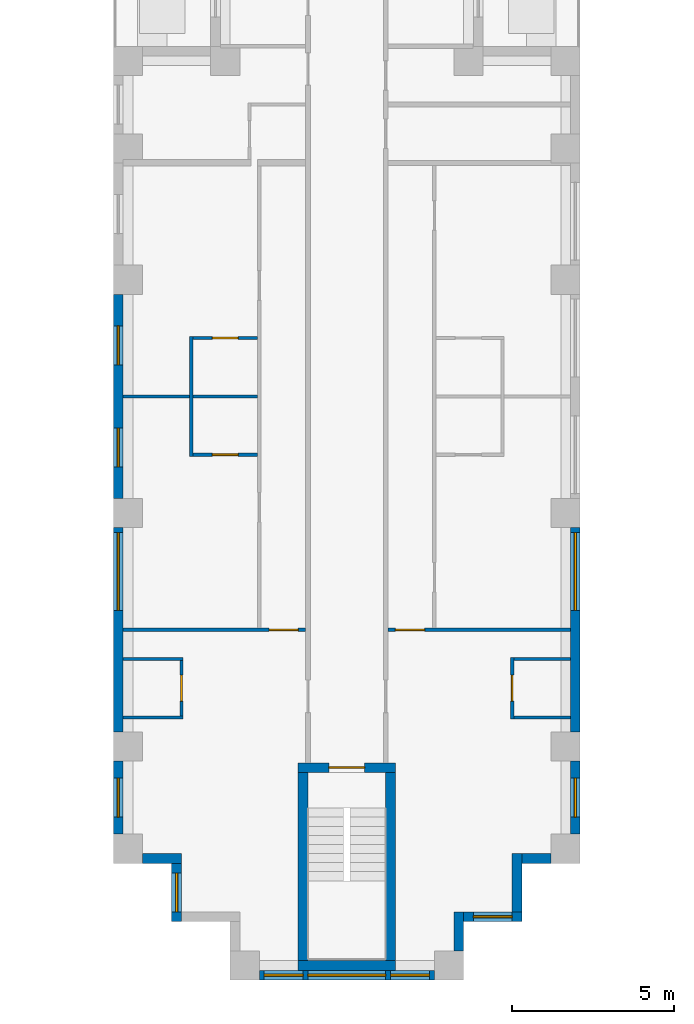
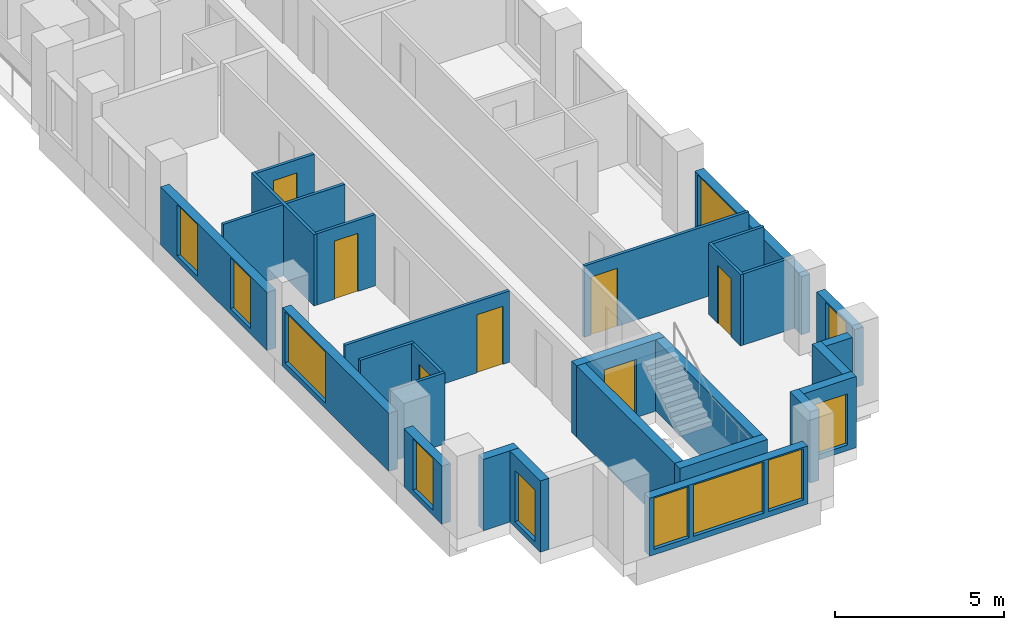
# One storey, part 3 of 15: 28 walls, 11 windows, 7 doors, 18 openings.
"""IFC4 building model written with IfcOpenShell, lengths in metres."""

from ifc_helpers import new_model, si_unit, direction, frame, frame_2d, origin, place, context, subcontext, project, spatial, rectangle, extrude, material, layer, layer_set, type_object, element, fill, save


model = new_model("IFC4")

# Units and contexts
model_context = context("Model", 3, precision=1e-05, world=origin(), true_north=direction((0.0, 1.0)))
body_context = subcontext(model_context, "Body", "Model", "MODEL_VIEW")
ifc_project = project(units=[si_unit("LENGTHUNIT", "METRE"), si_unit("AREAUNIT", "SQUARE_METRE"), si_unit("VOLUMEUNIT", "CUBIC_METRE"), si_unit("PLANEANGLEUNIT", "RADIAN"), si_unit("MASSUNIT", "GRAM", prefix="KILO")], contexts=[model_context])

# Site, building, storey
site_placement = place(None, origin())
site = spatial("IfcSite", under=ifc_project, at=site_placement, CompositionType="ELEMENT")
building_placement = place(site_placement, origin())
building = spatial("IfcBuilding", under=site, at=building_placement, Name="Fustian Cross Tower", CompositionType="ELEMENT")
storey_placement = place(building_placement, frame((0.0, 0.0, 53.699951171875)))
storey = spatial("IfcBuildingStorey", under=building, at=storey_placement, Name="L16", CompositionType="ELEMENT", Elevation=53.699951171875)

# Walls
ifc_material_1 = material(Name="Plasterboard on steel stud", Category="steel")
ifc_layer_1 = layer(ifc_material_1, 0.10009765625)
ifc_layer_set_1 = layer_set([ifc_layer_1], Name="Plasterboard on steel stud")
wall_type_1 = type_object("IfcWallType", Name="PARTITION 100 STUD", PredefinedType="PARTITIONING", material=ifc_layer_set_1)
for number, where, z_axis, x_axis, name in (
    (1, (-6.89990234375, -35.10009765625, 0.0), (0.0, 0.0, 1.0), (1.0, 0.0, 0.0), "Partition 14"),
    (2, (-6.89990234375, -33.300048828125, 0.0), (0.0, 0.0, 1.0), (1.0, 0.0, 0.0), "Partition 15"),
):
    element("IfcWall", number, at=place(storey_placement, frame(where, z_axis=z_axis, x_axis=x_axis)), inside=storey, type_object=wall_type_1, Name=name, PredefinedType="PARTITIONING", context=body_context, shape_type="SweptSolid", body=[
        extrude(rectangle(XDim=1.849853515625, YDim=0.10009765625, at=frame_2d((0.9248046875, 0.0))), origin(), (0.0, 0.0, 1.0), 2.574951171875),
    ])

# Wall, opening, door
wall_1_placement = place(storey_placement, frame((-6.89990234375, -32.39990234375, 0.0), z_axis=(0.0, 0.0, 1.0), x_axis=(1.0, 0.0, 0.0)))
wall_1 = element("IfcWall", 3, at=wall_1_placement, inside=storey, type_object=wall_type_1, Name="Partition 16", PredefinedType="PARTITIONING", context=body_context, shape_type="SweptSolid", body=[
    extrude(rectangle(XDim=5.625, YDim=0.10009765625, at=frame_2d((2.8125, 0.0))), origin(), (0.0, 0.0, 1.0), 2.574951171875),
])
opening_1_placement = place(wall_1_placement, frame((4.5, 0.0, 0.0)))
opening_1 = element("IfcOpeningElement", 4, at=opening_1_placement, cuts=wall_1, Name="Opening D09072", PredefinedType="OPENING", context=body_context, shape_type="SweptSolid", body=[
    extrude(rectangle(XDim=0.89990234375, YDim=2.10009765625, at=frame_2d((0.449951171875, 1.050048828125))), frame((0.0, 0.06005859375, 0.0), z_axis=(0.0, -1.0, 0.0), x_axis=(1.0, 0.0, 0.0)), (0.0, 0.0, 1.0), 0.1201171875),
])
ifc_material_2 = material(Name="Painted timber", Category="wood")
door_type_1 = type_object("IfcDoorType", Name="SWING DOOR 900", OperationType="SINGLE_SWING_LEFT", PredefinedType="DOOR", material=ifc_material_2)
door_1_placement = place(opening_1_placement, origin())
door_1 = element("IfcDoor", 5, at=door_1_placement, inside=storey, type_object=door_type_1, Name="Door D09072", OperationType="SINGLE_SWING_LEFT", OverallHeight=2.10009765625, OverallWidth=0.89990234375, PredefinedType="DOOR", context=body_context, shape_type="SweptSolid", body=[
    extrude(rectangle(XDim=0.89990234375, YDim=2.10009765625, at=frame_2d((0.449951171875, 1.050048828125))), frame((0.0, 0.02490234375, 0.0), z_axis=(0.0, -1.0, 0.0), x_axis=(1.0, 0.0, 0.0)), (0.0, 0.0, 1.0), 0.050048828125),
])
fill(opening_1, door_1)

# Wall
wall_2_placement = place(storey_placement, frame((-6.89990234375, -25.199951171875, 0.0), z_axis=(0.0, 0.0, 1.0), x_axis=(1.0, 0.0, 0.0)))
element("IfcWall", 6, at=wall_2_placement, inside=storey, type_object=wall_type_1, Name="Partition 17", PredefinedType="PARTITIONING", context=body_context, shape_type="SweptSolid", body=[
    extrude(rectangle(XDim=4.14990234375, YDim=0.10009765625, at=frame_2d((2.074951171875, 0.0))), origin(), (0.0, 0.0, 1.0), 2.574951171875),
])

# Wall, opening, door
wall_3_placement = place(storey_placement, frame((-5.10009765625, -35.050048828125, 0.0), z_axis=(0.0, 0.0, 1.0), x_axis=(0.0, 1.0, 0.0)))
wall_3 = element("IfcWall", 7, at=wall_3_placement, inside=storey, type_object=wall_type_1, Name="Partition 24", PredefinedType="PARTITIONING", context=body_context, shape_type="SweptSolid", body=[
    extrude(rectangle(XDim=1.699951171875, YDim=0.10009765625, at=frame_2d((0.85009765625, 0.0))), origin(), (0.0, 0.0, 1.0), 2.574951171875),
])
opening_2_placement = place(wall_3_placement, frame((0.449951171875, 0.0, 0.0)))
opening_2 = element("IfcOpeningElement", 8, at=opening_2_placement, cuts=wall_3, Name="Opening D09068", PredefinedType="OPENING", context=body_context, shape_type="SweptSolid", body=[
    extrude(rectangle(XDim=0.800048828125, YDim=2.10009765625, at=frame_2d((0.39990234375, 1.050048828125))), frame((0.0, 0.06005859375, 0.0), z_axis=(0.0, -1.0, 0.0), x_axis=(1.0, 0.0, 0.0)), (0.0, 0.0, 1.0), 0.1201171875),
])
ifc_material_3 = material(Name="Painted timber", Category="wood")
door_type_2 = type_object("IfcDoorType", Name="SWING DOOR 800", OperationType="SINGLE_SWING_LEFT", PredefinedType="DOOR", material=ifc_material_3)
door_2_placement = place(opening_2_placement, origin())
door_2 = element("IfcDoor", 9, at=door_2_placement, inside=storey, type_object=door_type_2, Name="Door D09068", OperationType="SINGLE_SWING_RIGHT", OverallHeight=2.10009765625, OverallWidth=0.800048828125, PredefinedType="DOOR", context=body_context, shape_type="SweptSolid", body=[
    extrude(rectangle(XDim=0.800048828125, YDim=2.10009765625, at=frame_2d((0.39990234375, 1.050048828125))), frame((0.0, 0.02490234375, 0.0), z_axis=(0.0, -1.0, 0.0), x_axis=(1.0, 0.0, 0.0)), (0.0, 0.0, 1.0), 0.050048828125),
])
fill(opening_2, door_2)

# Wall
wall_4_placement = place(storey_placement, frame((-4.800048828125, -27.050048828125, 0.0), z_axis=(0.0, 0.0, 1.0), x_axis=(0.0, 1.0, 0.0)))
element("IfcWall", 10, at=wall_4_placement, inside=storey, type_object=wall_type_1, Name="Partition 25", PredefinedType="PARTITIONING", context=body_context, shape_type="SweptSolid", body=[
    extrude(rectangle(XDim=3.699951171875, YDim=0.10009765625, at=frame_2d((1.85009765625, 0.0))), origin(), (0.0, 0.0, 1.0), 2.574951171875),
])

# Wall, opening, door
wall_5_placement = place(storey_placement, frame((-4.75, -27.0, 0.0), z_axis=(0.0, 0.0, 1.0), x_axis=(1.0, 0.0, 0.0)))
wall_5 = element("IfcWall", 11, at=wall_5_placement, inside=storey, type_object=wall_type_1, Name="Partition 26", PredefinedType="PARTITIONING", context=body_context, shape_type="SweptSolid", body=[
    extrude(rectangle(XDim=2.0, YDim=0.10009765625, at=frame_2d((1.0, 0.0))), origin(), (0.0, 0.0, 1.0), 2.574951171875),
])
opening_3_placement = place(wall_5_placement, frame((0.60009765625, 0.0, 0.0)))
opening_3 = element("IfcOpeningElement", 12, at=opening_3_placement, cuts=wall_5, Name="Opening D09074", PredefinedType="OPENING", context=body_context, shape_type="SweptSolid", body=[
    extrude(rectangle(XDim=0.800048828125, YDim=2.10009765625, at=frame_2d((0.39990234375, 1.050048828125))), frame((0.0, 0.06005859375, 0.0), z_axis=(0.0, -1.0, 0.0), x_axis=(1.0, 0.0, 0.0)), (0.0, 0.0, 1.0), 0.1201171875),
])
door_3_placement = place(opening_3_placement, origin())
door_3 = element("IfcDoor", 13, at=door_3_placement, inside=storey, type_object=door_type_2, Name="Door D09074", OperationType="SINGLE_SWING_LEFT", OverallHeight=2.10009765625, OverallWidth=0.800048828125, PredefinedType="DOOR", context=body_context, shape_type="SweptSolid", body=[
    extrude(rectangle(XDim=0.800048828125, YDim=2.10009765625, at=frame_2d((0.39990234375, 1.050048828125))), frame((0.0, 0.02490234375, 0.0), z_axis=(0.0, -1.0, 0.0), x_axis=(1.0, 0.0, 0.0)), (0.0, 0.0, 1.0), 0.050048828125),
])
fill(opening_3, door_3)

wall_6_placement = place(storey_placement, frame((-4.75, -23.39990234375, 0.0), z_axis=(0.0, 0.0, 1.0), x_axis=(1.0, 0.0, 0.0)))
wall_6 = element("IfcWall", 14, at=wall_6_placement, inside=storey, type_object=wall_type_1, Name="Partition 27", PredefinedType="PARTITIONING", context=body_context, shape_type="SweptSolid", body=[
    extrude(rectangle(XDim=2.0, YDim=0.10009765625, at=frame_2d((1.0, 0.0))), origin(), (0.0, 0.0, 1.0), 2.574951171875),
])
opening_4_placement = place(wall_6_placement, frame((0.60009765625, 0.0, 0.0)))
opening_4 = element("IfcOpeningElement", 15, at=opening_4_placement, cuts=wall_6, Name="Opening D09073", PredefinedType="OPENING", context=body_context, shape_type="SweptSolid", body=[
    extrude(rectangle(XDim=0.800048828125, YDim=2.10009765625, at=frame_2d((0.39990234375, 1.050048828125))), frame((0.0, 0.06005859375, 0.0), z_axis=(0.0, -1.0, 0.0), x_axis=(1.0, 0.0, 0.0)), (0.0, 0.0, 1.0), 0.1201171875),
])
door_4_placement = place(opening_4_placement, frame((0.800048828125, 0.0, 0.0), z_axis=(0.0, 0.0, 1.0), x_axis=(-1.0, 0.0, 0.0)))
door_4 = element("IfcDoor", 16, at=door_4_placement, inside=storey, type_object=door_type_2, Name="Door D09073", OperationType="SINGLE_SWING_RIGHT", OverallHeight=2.10009765625, OverallWidth=0.800048828125, PredefinedType="DOOR", context=body_context, shape_type="SweptSolid", body=[
    extrude(rectangle(XDim=0.800048828125, YDim=2.10009765625, at=frame_2d((0.39990234375, 1.050048828125))), frame((0.0, 0.02490234375, 0.0), z_axis=(0.0, -1.0, 0.0), x_axis=(1.0, 0.0, 0.0)), (0.0, 0.0, 1.0), 0.050048828125),
])
fill(opening_4, door_4)

wall_7_placement = place(storey_placement, frame((1.27490234375, -32.39990234375, 0.0), z_axis=(0.0, 0.0, 1.0), x_axis=(1.0, 0.0, 0.0)))
wall_7 = element("IfcWall", 17, at=wall_7_placement, inside=storey, type_object=wall_type_1, Name="Partition 49", PredefinedType="PARTITIONING", context=body_context, shape_type="SweptSolid", body=[
    extrude(rectangle(XDim=5.625, YDim=0.10009765625, at=frame_2d((2.8125, 0.0))), origin(), (0.0, 0.0, 1.0), 2.574951171875),
])
opening_5_placement = place(wall_7_placement, frame((0.22509765625, 0.0, 0.0)))
opening_5 = element("IfcOpeningElement", 18, at=opening_5_placement, cuts=wall_7, Name="Opening D09059", PredefinedType="OPENING", context=body_context, shape_type="SweptSolid", body=[
    extrude(rectangle(XDim=0.89990234375, YDim=2.10009765625, at=frame_2d((0.449951171875, 1.050048828125))), frame((0.0, 0.06005859375, 0.0), z_axis=(0.0, -1.0, 0.0), x_axis=(1.0, 0.0, 0.0)), (0.0, 0.0, 1.0), 0.1201171875),
])
door_5_placement = place(opening_5_placement, origin())
door_5 = element("IfcDoor", 19, at=door_5_placement, inside=storey, type_object=door_type_1, Name="Door D09059", OperationType="SINGLE_SWING_LEFT", OverallHeight=2.10009765625, OverallWidth=0.89990234375, PredefinedType="DOOR", context=body_context, shape_type="SweptSolid", body=[
    extrude(rectangle(XDim=0.89990234375, YDim=2.10009765625, at=frame_2d((0.449951171875, 1.050048828125))), frame((0.0, 0.02490234375, 0.0), z_axis=(0.0, -1.0, 0.0), x_axis=(1.0, 0.0, 0.0)), (0.0, 0.0, 1.0), 0.050048828125),
])
fill(opening_5, door_5)

wall_8_placement = place(storey_placement, frame((5.10009765625, -35.14990234375, 0.0), z_axis=(0.0, 0.0, 1.0), x_axis=(0.0, 1.0, 0.0)))
wall_8 = element("IfcWall", 20, at=wall_8_placement, inside=storey, type_object=wall_type_1, Name="Partition 80", PredefinedType="PARTITIONING", context=body_context, shape_type="SweptSolid", body=[
    extrude(rectangle(XDim=1.89990234375, YDim=0.10009765625, at=frame_2d((0.949951171875, 0.0))), origin(), (0.0, 0.0, 1.0), 2.574951171875),
])
opening_6_placement = place(wall_8_placement, frame((0.550048828125, 0.0, 0.0)))
opening_6 = element("IfcOpeningElement", 21, at=opening_6_placement, cuts=wall_8, Name="Opening D09057", PredefinedType="OPENING", context=body_context, shape_type="SweptSolid", body=[
    extrude(rectangle(XDim=0.800048828125, YDim=2.10009765625, at=frame_2d((0.39990234375, 1.050048828125))), frame((0.0, 0.06005859375, 0.0), z_axis=(0.0, -1.0, 0.0), x_axis=(1.0, 0.0, 0.0)), (0.0, 0.0, 1.0), 0.1201171875),
])
door_6_placement = place(opening_6_placement, frame((0.800048828125, 0.0, 0.0), z_axis=(0.0, 0.0, 1.0), x_axis=(-1.0, 0.0, 0.0)))
door_6 = element("IfcDoor", 22, at=door_6_placement, inside=storey, type_object=door_type_2, Name="Door D09057", OperationType="SINGLE_SWING_LEFT", OverallHeight=2.10009765625, OverallWidth=0.800048828125, PredefinedType="DOOR", context=body_context, shape_type="SweptSolid", body=[
    extrude(rectangle(XDim=0.800048828125, YDim=2.10009765625, at=frame_2d((0.39990234375, 1.050048828125))), frame((0.0, 0.02490234375, 0.0), z_axis=(0.0, -1.0, 0.0), x_axis=(1.0, 0.0, 0.0)), (0.0, 0.0, 1.0), 0.050048828125),
])
fill(opening_6, door_6)

# Walls
for number, where, z_axis, x_axis, name in (
    (23, (5.14990234375, -35.10009765625, 0.0), (0.0, 0.0, 1.0), (1.0, 0.0, 0.0), "Partition 81"),
    (24, (5.14990234375, -33.300048828125, 0.0), (0.0, 0.0, 1.0), (1.0, 0.0, 0.0), "Partition 82"),
):
    element("IfcWall", number, at=place(storey_placement, frame(where, z_axis=z_axis, x_axis=x_axis)), inside=storey, type_object=wall_type_1, Name=name, PredefinedType="PARTITIONING", context=body_context, shape_type="SweptSolid", body=[
        extrude(rectangle(XDim=1.75, YDim=0.10009765625, at=frame_2d((0.875, 0.0))), origin(), (0.0, 0.0, 1.0), 2.574951171875),
    ])

# Wall, opening, door
ifc_material_4 = material(Name="Concrete C50/60", Category="concrete")
ifc_layer_2 = layer(ifc_material_4, 0.300048828125)
ifc_layer_set_2 = layer_set([ifc_layer_2], Name="Concrete C50/60")
wall_type_2 = type_object("IfcWallType", Name="STAIR ENCLOSURE WALL 300 C50/60", PredefinedType="SHEAR", material=ifc_layer_set_2)
wall_9_placement = place(storey_placement, frame((-1.5, -36.64990234375, 0.0), z_axis=(0.0, 0.0, 1.0), x_axis=(1.0, 0.0, 0.0)))
wall_9 = element("IfcWall", 25, at=wall_9_placement, inside=storey, type_object=wall_type_2, Name="Stair enclosure wall", PredefinedType="SHEAR", context=body_context, shape_type="SweptSolid", body=[
    extrude(rectangle(XDim=3.0, YDim=0.300048828125, at=frame_2d((1.5, 0.0))), origin(), (0.0, 0.0, 1.0), 2.574951171875),
])
opening_7_placement = place(wall_9_placement, frame((0.949951171875, 0.0, 0.0)))
opening_7 = element("IfcOpeningElement", 26, at=opening_7_placement, cuts=wall_9, Name="Opening CD-06-32", PredefinedType="OPENING", context=body_context, shape_type="SweptSolid", body=[
    extrude(rectangle(XDim=1.10009765625, YDim=2.10009765625, at=frame_2d((0.550048828125, 1.050048828125))), frame((0.0, 0.159912109375, 0.0), z_axis=(0.0, -1.0, 0.0), x_axis=(1.0, 0.0, 0.0)), (0.0, 0.0, 1.0), 0.320068359375),
])
ifc_material_5 = material(Name="Steel", Category="steel")
door_type_3 = type_object("IfcDoorType", Name="FIRE DOOR FD60S 1100X2100", OperationType="SINGLE_SWING_LEFT", PredefinedType="DOOR", material=ifc_material_5)
door_7_placement = place(opening_7_placement, frame((1.10009765625, 0.0, 0.0), z_axis=(0.0, 0.0, 1.0), x_axis=(-1.0, 0.0, 0.0)))
door_7 = element("IfcDoor", 27, at=door_7_placement, inside=storey, type_object=door_type_3, Name="Core door CD-06-32", OperationType="SINGLE_SWING_RIGHT", OverallHeight=2.10009765625, OverallWidth=1.10009765625, PredefinedType="DOOR", context=body_context, shape_type="SweptSolid", body=[
    extrude(rectangle(XDim=1.10009765625, YDim=2.10009765625, at=frame_2d((0.550048828125, 1.050048828125))), frame((0.0, 0.02490234375, 0.0), z_axis=(0.0, -1.0, 0.0), x_axis=(1.0, 0.0, 0.0)), (0.0, 0.0, 1.0), 0.050048828125),
])
fill(opening_7, door_7)

# Walls
wall_10_placement = place(storey_placement, frame((-1.5, -42.75, 0.0), z_axis=(0.0, 0.0, 1.0), x_axis=(1.0, 0.0, 0.0)))
element("IfcWall", 28, at=wall_10_placement, inside=storey, type_object=wall_type_2, Name="Stair enclosure wall", PredefinedType="SHEAR", context=body_context, shape_type="SweptSolid", body=[
    extrude(rectangle(XDim=3.0, YDim=0.300048828125, at=frame_2d((1.5, 0.0))), origin(), (0.0, 0.0, 1.0), 2.574951171875),
])
for number, where, z_axis, x_axis, name in (
    (29, (-1.35009765625, -36.800048828125, 0.0), (0.0, 0.0, 1.0), (0.0, -1.0, 0.0), "Stair enclosure wall"),
    (30, (1.35009765625, -36.800048828125, 0.0), (0.0, 0.0, 1.0), (0.0, -1.0, 0.0), "Stair enclosure wall"),
):
    element("IfcWall", number, at=place(storey_placement, frame(where, z_axis=z_axis, x_axis=x_axis)), inside=storey, type_object=wall_type_2, Name=name, PredefinedType="SHEAR", context=body_context, shape_type="SweptSolid", body=[
        extrude(rectangle(XDim=5.800048828125, YDim=0.300048828125, at=frame_2d((2.89990234375, 0.0))), origin(), (0.0, 0.0, 1.0), 2.574951171875),
    ])

# Wall, openings, windows
ifc_material_6 = material(Name="Dark aluminium cladding on insulated backing wall", Category="aluminium")
ifc_layer_3 = layer(ifc_material_6, 0.300048828125)
ifc_layer_set_3 = layer_set([ifc_layer_3], Name="Dark aluminium cladding on insulated backing wall")
wall_type_3 = type_object("IfcWallType", Name="XW1 EXTERNAL WALL 300", PredefinedType="SOLIDWALL", material=ifc_layer_set_3)
wall_11_placement = place(storey_placement, frame((-7.050048828125, -22.050048828125, 0.0), z_axis=(0.0, 0.0, 1.0), x_axis=(0.0, -1.0, 0.0)))
wall_11 = element("IfcWall", 31, at=wall_11_placement, inside=storey, type_object=wall_type_3, Name="External wall", PredefinedType="SOLIDWALL", context=body_context, shape_type="SweptSolid", body=[
    extrude(rectangle(XDim=6.300048828125, YDim=0.300048828125, at=frame_2d((3.14990234375, 0.0))), origin(), (0.0, 0.0, 1.0), 2.10009765625),
])
opening_8_placement = place(wall_11_placement, frame((0.97509765625, 0.0, 0.199951171875)))
opening_8 = element("IfcOpeningElement", 32, at=opening_8_placement, cuts=wall_11, Name="Opening WN3", PredefinedType="OPENING", context=body_context, shape_type="SweptSolid", body=[
    extrude(rectangle(XDim=1.199951171875, YDim=1.85009765625, at=frame_2d((0.60009765625, 0.925048828125))), frame((0.0, 0.159912109375, 0.0), z_axis=(0.0, -1.0, 0.0), x_axis=(1.0, 0.0, 0.0)), (0.0, 0.0, 1.0), 0.320068359375),
])
opening_9_placement = place(wall_11_placement, frame((4.125, 0.0, 0.199951171875)))
opening_9 = element("IfcOpeningElement", 33, at=opening_9_placement, cuts=wall_11, Name="Opening WN3", PredefinedType="OPENING", context=body_context, shape_type="SweptSolid", body=[
    extrude(rectangle(XDim=1.199951171875, YDim=1.85009765625, at=frame_2d((0.60009765625, 0.925048828125))), frame((0.0, 0.159912109375, 0.0), z_axis=(0.0, -1.0, 0.0), x_axis=(1.0, 0.0, 0.0)), (0.0, 0.0, 1.0), 0.320068359375),
])
ifc_material_7 = material(Name="Dark anodised aluminium and double glazing", Category="aluminium")
window_type_1 = type_object("IfcWindowType", Name="WN3 WINDOW 1200X1850", PartitioningType="SINGLE_PANEL", PredefinedType="WINDOW", material=ifc_material_7)
window_1_placement = place(opening_8_placement, origin())
window_1 = element("IfcWindow", 34, at=window_1_placement, inside=storey, type_object=window_type_1, Name="Window", OverallHeight=1.85009765625, OverallWidth=1.199951171875, PartitioningType="SINGLE_PANEL", PredefinedType="WINDOW", context=body_context, shape_type="SweptSolid", body=[
    extrude(rectangle(XDim=1.199951171875, YDim=1.85009765625, at=frame_2d((0.60009765625, 0.925048828125))), frame((0.0, 0.030029296875, 0.0), z_axis=(0.0, -1.0, 0.0), x_axis=(1.0, 0.0, 0.0)), (0.0, 0.0, 1.0), 0.06005859375),
])
fill(opening_8, window_1)
window_2_placement = place(opening_9_placement, origin())
window_2 = element("IfcWindow", 35, at=window_2_placement, inside=storey, type_object=window_type_1, Name="Window", OverallHeight=1.85009765625, OverallWidth=1.199951171875, PartitioningType="SINGLE_PANEL", PredefinedType="WINDOW", context=body_context, shape_type="SweptSolid", body=[
    extrude(rectangle(XDim=1.199951171875, YDim=1.85009765625, at=frame_2d((0.60009765625, 0.925048828125))), frame((0.0, 0.030029296875, 0.0), z_axis=(0.0, -1.0, 0.0), x_axis=(1.0, 0.0, 0.0)), (0.0, 0.0, 1.0), 0.06005859375),
])
fill(opening_9, window_2)

# Wall, opening, window
wall_12_placement = place(storey_placement, frame((-7.050048828125, -29.25, 0.0), z_axis=(0.0, 0.0, 1.0), x_axis=(0.0, -1.0, 0.0)))
wall_12 = element("IfcWall", 36, at=wall_12_placement, inside=storey, type_object=wall_type_3, Name="External wall", PredefinedType="SOLIDWALL", context=body_context, shape_type="SweptSolid", body=[
    extrude(rectangle(XDim=6.300048828125, YDim=0.300048828125, at=frame_2d((3.14990234375, 0.0))), origin(), (0.0, 0.0, 1.0), 2.10009765625),
])
opening_10_placement = place(wall_12_placement, frame((0.14990234375, 0.0, 0.199951171875)))
opening_10 = element("IfcOpeningElement", 37, at=opening_10_placement, cuts=wall_12, Name="Opening WN1", PredefinedType="OPENING", context=body_context, shape_type="SweptSolid", body=[
    extrude(rectangle(XDim=2.39990234375, YDim=1.85009765625, at=frame_2d((1.199951171875, 0.925048828125))), frame((0.0, 0.159912109375, 0.0), z_axis=(0.0, -1.0, 0.0), x_axis=(1.0, 0.0, 0.0)), (0.0, 0.0, 1.0), 0.320068359375),
])
ifc_material_8 = material(Name="Dark anodised aluminium and double glazing", Category="aluminium")
window_type_2 = type_object("IfcWindowType", Name="WN1 WINDOW 2400X1850", PartitioningType="SINGLE_PANEL", PredefinedType="WINDOW", material=ifc_material_8)
window_3_placement = place(opening_10_placement, origin())
window_3 = element("IfcWindow", 38, at=window_3_placement, inside=storey, type_object=window_type_2, Name="Window", OverallHeight=1.85009765625, OverallWidth=2.39990234375, PartitioningType="SINGLE_PANEL", PredefinedType="WINDOW", context=body_context, shape_type="SweptSolid", body=[
    extrude(rectangle(XDim=2.39990234375, YDim=1.85009765625, at=frame_2d((1.199951171875, 0.925048828125))), frame((0.0, 0.030029296875, 0.0), z_axis=(0.0, -1.0, 0.0), x_axis=(1.0, 0.0, 0.0)), (0.0, 0.0, 1.0), 0.06005859375),
])
fill(opening_10, window_3)

wall_13_placement = place(storey_placement, frame((-7.050048828125, -36.449951171875, 0.0), z_axis=(0.0, 0.0, 1.0), x_axis=(0.0, -1.0, 0.0)))
wall_13 = element("IfcWall", 39, at=wall_13_placement, inside=storey, type_object=wall_type_3, Name="External wall", PredefinedType="SOLIDWALL", context=body_context, shape_type="SweptSolid", body=[
    extrude(rectangle(XDim=2.25, YDim=0.300048828125, at=frame_2d((1.125, 0.0))), origin(), (0.0, 0.0, 1.0), 2.10009765625),
])
opening_11_placement = place(wall_13_placement, frame((0.52490234375, 0.0, 0.199951171875)))
opening_11 = element("IfcOpeningElement", 40, at=opening_11_placement, cuts=wall_13, Name="Opening WN3", PredefinedType="OPENING", context=body_context, shape_type="SweptSolid", body=[
    extrude(rectangle(XDim=1.199951171875, YDim=1.85009765625, at=frame_2d((0.60009765625, 0.925048828125))), frame((0.0, 0.159912109375, 0.0), z_axis=(0.0, -1.0, 0.0), x_axis=(1.0, 0.0, 0.0)), (0.0, 0.0, 1.0), 0.320068359375),
])
window_4_placement = place(opening_11_placement, origin())
window_4 = element("IfcWindow", 41, at=window_4_placement, inside=storey, type_object=window_type_1, Name="Window", OverallHeight=1.85009765625, OverallWidth=1.199951171875, PartitioningType="SINGLE_PANEL", PredefinedType="WINDOW", context=body_context, shape_type="SweptSolid", body=[
    extrude(rectangle(XDim=1.199951171875, YDim=1.85009765625, at=frame_2d((0.60009765625, 0.925048828125))), frame((0.0, 0.030029296875, 0.0), z_axis=(0.0, -1.0, 0.0), x_axis=(1.0, 0.0, 0.0)), (0.0, 0.0, 1.0), 0.06005859375),
])
fill(opening_11, window_4)

# Wall
wall_14_placement = place(storey_placement, frame((-6.300048828125, -39.449951171875, 0.0), z_axis=(0.0, 0.0, 1.0), x_axis=(1.0, 0.0, 0.0)))
element("IfcWall", 42, at=wall_14_placement, inside=storey, type_object=wall_type_3, Name="External wall", PredefinedType="SOLIDWALL", context=body_context, shape_type="SweptSolid", body=[
    extrude(rectangle(XDim=1.199951171875, YDim=0.300048828125, at=frame_2d((0.60009765625, 0.0))), origin(), (0.0, 0.0, 1.0), 2.574951171875),
])

# Wall, opening, window
wall_15_placement = place(storey_placement, frame((-5.25, -39.60009765625, 0.0), z_axis=(0.0, 0.0, 1.0), x_axis=(0.0, -1.0, 0.0)))
wall_15 = element("IfcWall", 43, at=wall_15_placement, inside=storey, type_object=wall_type_3, Name="External wall", PredefinedType="SOLIDWALL", context=body_context, shape_type="SweptSolid", body=[
    extrude(rectangle(XDim=1.7998046875, YDim=0.300048828125, at=frame_2d((0.89990234375, 0.0))), origin(), (0.0, 0.0, 1.0), 2.574951171875),
])
opening_12_placement = place(wall_15_placement, frame((0.300048828125, 0.0, 0.199951171875)))
opening_12 = element("IfcOpeningElement", 44, at=opening_12_placement, cuts=wall_15, Name="Opening WN3", PredefinedType="OPENING", context=body_context, shape_type="SweptSolid", body=[
    extrude(rectangle(XDim=1.199951171875, YDim=1.85009765625, at=frame_2d((0.60009765625, 0.925048828125))), frame((0.0, 0.159912109375, 0.0), z_axis=(0.0, -1.0, 0.0), x_axis=(1.0, 0.0, 0.0)), (0.0, 0.0, 1.0), 0.320068359375),
])
window_5_placement = place(opening_12_placement, origin())
window_5 = element("IfcWindow", 45, at=window_5_placement, inside=storey, type_object=window_type_1, Name="Window", OverallHeight=1.85009765625, OverallWidth=1.199951171875, PartitioningType="SINGLE_PANEL", PredefinedType="WINDOW", context=body_context, shape_type="SweptSolid", body=[
    extrude(rectangle(XDim=1.199951171875, YDim=1.85009765625, at=frame_2d((0.60009765625, 0.925048828125))), frame((0.0, 0.030029296875, 0.0), z_axis=(0.0, -1.0, 0.0), x_axis=(1.0, 0.0, 0.0)), (0.0, 0.0, 1.0), 0.06005859375),
])
fill(opening_12, window_5)

# Wall, openings, windows
wall_16_placement = place(storey_placement, frame((-2.699951171875, -43.050048828125, 0.0), z_axis=(0.0, 0.0, 1.0), x_axis=(1.0, 0.0, 0.0)))
wall_16 = element("IfcWall", 46, at=wall_16_placement, inside=storey, type_object=wall_type_3, Name="External wall", PredefinedType="SOLIDWALL", context=body_context, shape_type="SweptSolid", body=[
    extrude(rectangle(XDim=5.39990234375, YDim=0.300048828125, at=frame_2d((2.699951171875, 0.0))), origin(), (0.0, 0.0, 1.0), 2.10009765625),
])
opening_13_placement = place(wall_16_placement, frame((1.5, 0.0, 0.199951171875)))
opening_13 = element("IfcOpeningElement", 47, at=opening_13_placement, cuts=wall_16, Name="Opening WN1", PredefinedType="OPENING", context=body_context, shape_type="SweptSolid", body=[
    extrude(rectangle(XDim=2.39990234375, YDim=1.85009765625, at=frame_2d((1.199951171875, 0.925048828125))), frame((0.0, 0.159912109375, 0.0), z_axis=(0.0, -1.0, 0.0), x_axis=(1.0, 0.0, 0.0)), (0.0, 0.0, 1.0), 0.320068359375),
])
opening_14_placement = place(wall_16_placement, frame((0.14990234375, 0.0, 0.199951171875)))
opening_14 = element("IfcOpeningElement", 48, at=opening_14_placement, cuts=wall_16, Name="Opening WN3", PredefinedType="OPENING", context=body_context, shape_type="SweptSolid", body=[
    extrude(rectangle(XDim=1.199951171875, YDim=1.85009765625, at=frame_2d((0.60009765625, 0.925048828125))), frame((0.0, 0.159912109375, 0.0), z_axis=(0.0, -1.0, 0.0), x_axis=(1.0, 0.0, 0.0)), (0.0, 0.0, 1.0), 0.320068359375),
])
opening_15_placement = place(wall_16_placement, frame((4.050048828125, 0.0, 0.199951171875)))
opening_15 = element("IfcOpeningElement", 49, at=opening_15_placement, cuts=wall_16, Name="Opening WN3", PredefinedType="OPENING", context=body_context, shape_type="SweptSolid", body=[
    extrude(rectangle(XDim=1.199951171875, YDim=1.85009765625, at=frame_2d((0.60009765625, 0.925048828125))), frame((0.0, 0.159912109375, 0.0), z_axis=(0.0, -1.0, 0.0), x_axis=(1.0, 0.0, 0.0)), (0.0, 0.0, 1.0), 0.320068359375),
])
window_6_placement = place(opening_13_placement, origin())
window_6 = element("IfcWindow", 50, at=window_6_placement, inside=storey, type_object=window_type_2, Name="Window", OverallHeight=1.85009765625, OverallWidth=2.39990234375, PartitioningType="SINGLE_PANEL", PredefinedType="WINDOW", context=body_context, shape_type="SweptSolid", body=[
    extrude(rectangle(XDim=2.39990234375, YDim=1.85009765625, at=frame_2d((1.199951171875, 0.925048828125))), frame((0.0, 0.030029296875, 0.0), z_axis=(0.0, -1.0, 0.0), x_axis=(1.0, 0.0, 0.0)), (0.0, 0.0, 1.0), 0.06005859375),
])
fill(opening_13, window_6)
window_7_placement = place(opening_14_placement, origin())
window_7 = element("IfcWindow", 51, at=window_7_placement, inside=storey, type_object=window_type_1, Name="Window", OverallHeight=1.85009765625, OverallWidth=1.199951171875, PartitioningType="SINGLE_PANEL", PredefinedType="WINDOW", context=body_context, shape_type="SweptSolid", body=[
    extrude(rectangle(XDim=1.199951171875, YDim=1.85009765625, at=frame_2d((0.60009765625, 0.925048828125))), frame((0.0, 0.030029296875, 0.0), z_axis=(0.0, -1.0, 0.0), x_axis=(1.0, 0.0, 0.0)), (0.0, 0.0, 1.0), 0.06005859375),
])
fill(opening_14, window_7)
window_8_placement = place(opening_15_placement, origin())
window_8 = element("IfcWindow", 52, at=window_8_placement, inside=storey, type_object=window_type_1, Name="Window", OverallHeight=1.85009765625, OverallWidth=1.199951171875, PartitioningType="SINGLE_PANEL", PredefinedType="WINDOW", context=body_context, shape_type="SweptSolid", body=[
    extrude(rectangle(XDim=1.199951171875, YDim=1.85009765625, at=frame_2d((0.60009765625, 0.925048828125))), frame((0.0, 0.030029296875, 0.0), z_axis=(0.0, -1.0, 0.0), x_axis=(1.0, 0.0, 0.0)), (0.0, 0.0, 1.0), 0.06005859375),
])
fill(opening_15, window_8)

# Wall
wall_17_placement = place(storey_placement, frame((3.449951171875, -42.300048828125, 0.0), z_axis=(0.0, 0.0, 1.0), x_axis=(0.0, 1.0, 0.0)))
element("IfcWall", 53, at=wall_17_placement, inside=storey, type_object=wall_type_3, Name="External wall", PredefinedType="SOLIDWALL", context=body_context, shape_type="SweptSolid", body=[
    extrude(rectangle(XDim=1.199951171875, YDim=0.300048828125, at=frame_2d((0.60009765625, 0.0))), origin(), (0.0, 0.0, 1.0), 2.574951171875),
])

# Wall, opening, window
wall_18_placement = place(storey_placement, frame((3.60009765625, -41.25, 0.0), z_axis=(0.0, 0.0, 1.0), x_axis=(1.0, 0.0, 0.0)))
wall_18 = element("IfcWall", 54, at=wall_18_placement, inside=storey, type_object=wall_type_3, Name="External wall", PredefinedType="SOLIDWALL", context=body_context, shape_type="SweptSolid", body=[
    extrude(rectangle(XDim=1.7998046875, YDim=0.300048828125, at=frame_2d((0.89990234375, 0.0))), origin(), (0.0, 0.0, 1.0), 2.574951171875),
])
opening_16_placement = place(wall_18_placement, frame((0.300048828125, 0.0, 0.199951171875)))
opening_16 = element("IfcOpeningElement", 55, at=opening_16_placement, cuts=wall_18, Name="Opening WN3", PredefinedType="OPENING", context=body_context, shape_type="SweptSolid", body=[
    extrude(rectangle(XDim=1.199951171875, YDim=1.85009765625, at=frame_2d((0.60009765625, 0.925048828125))), frame((0.0, 0.159912109375, 0.0), z_axis=(0.0, -1.0, 0.0), x_axis=(1.0, 0.0, 0.0)), (0.0, 0.0, 1.0), 0.320068359375),
])
window_9_placement = place(opening_16_placement, origin())
window_9 = element("IfcWindow", 56, at=window_9_placement, inside=storey, type_object=window_type_1, Name="Window", OverallHeight=1.85009765625, OverallWidth=1.199951171875, PartitioningType="SINGLE_PANEL", PredefinedType="WINDOW", context=body_context, shape_type="SweptSolid", body=[
    extrude(rectangle(XDim=1.199951171875, YDim=1.85009765625, at=frame_2d((0.60009765625, 0.925048828125))), frame((0.0, 0.030029296875, 0.0), z_axis=(0.0, -1.0, 0.0), x_axis=(1.0, 0.0, 0.0)), (0.0, 0.0, 1.0), 0.06005859375),
])
fill(opening_16, window_9)

# Walls
wall_19_placement = place(storey_placement, frame((5.25, -41.10009765625, 0.0), z_axis=(0.0, 0.0, 1.0), x_axis=(0.0, 1.0, 0.0)))
element("IfcWall", 57, at=wall_19_placement, inside=storey, type_object=wall_type_3, Name="External wall", PredefinedType="SOLIDWALL", context=body_context, shape_type="SweptSolid", body=[
    extrude(rectangle(XDim=1.800048828125, YDim=0.300048828125, at=frame_2d((0.89990234375, 0.0))), origin(), (0.0, 0.0, 1.0), 2.574951171875),
])
wall_20_placement = place(storey_placement, frame((5.39990234375, -39.449951171875, 0.0), z_axis=(0.0, 0.0, 1.0), x_axis=(1.0, 0.0, 0.0)))
element("IfcWall", 58, at=wall_20_placement, inside=storey, type_object=wall_type_3, Name="External wall", PredefinedType="SOLIDWALL", context=body_context, shape_type="SweptSolid", body=[
    extrude(rectangle(XDim=0.900146484375, YDim=0.300048828125, at=frame_2d((0.4501953125, 0.0))), origin(), (0.0, 0.0, 1.0), 2.574951171875),
])

# Wall, opening, window
wall_21_placement = place(storey_placement, frame((7.050048828125, -38.699951171875, 0.0), z_axis=(0.0, 0.0, 1.0), x_axis=(0.0, 1.0, 0.0)))
wall_21 = element("IfcWall", 59, at=wall_21_placement, inside=storey, type_object=wall_type_3, Name="External wall", PredefinedType="SOLIDWALL", context=body_context, shape_type="SweptSolid", body=[
    extrude(rectangle(XDim=2.25, YDim=0.300048828125, at=frame_2d((1.125, 0.0))), origin(), (0.0, 0.0, 1.0), 2.10009765625),
])
opening_17_placement = place(wall_21_placement, frame((0.52490234375, 0.0, 0.199951171875)))
opening_17 = element("IfcOpeningElement", 60, at=opening_17_placement, cuts=wall_21, Name="Opening WN3", PredefinedType="OPENING", context=body_context, shape_type="SweptSolid", body=[
    extrude(rectangle(XDim=1.199951171875, YDim=1.85009765625, at=frame_2d((0.60009765625, 0.925048828125))), frame((0.0, 0.159912109375, 0.0), z_axis=(0.0, -1.0, 0.0), x_axis=(1.0, 0.0, 0.0)), (0.0, 0.0, 1.0), 0.320068359375),
])
window_10_placement = place(opening_17_placement, origin())
window_10 = element("IfcWindow", 61, at=window_10_placement, inside=storey, type_object=window_type_1, Name="Window", OverallHeight=1.85009765625, OverallWidth=1.199951171875, PartitioningType="SINGLE_PANEL", PredefinedType="WINDOW", context=body_context, shape_type="SweptSolid", body=[
    extrude(rectangle(XDim=1.199951171875, YDim=1.85009765625, at=frame_2d((0.60009765625, 0.925048828125))), frame((0.0, 0.030029296875, 0.0), z_axis=(0.0, -1.0, 0.0), x_axis=(1.0, 0.0, 0.0)), (0.0, 0.0, 1.0), 0.06005859375),
])
fill(opening_17, window_10)

wall_22_placement = place(storey_placement, frame((7.050048828125, -35.550048828125, 0.0), z_axis=(0.0, 0.0, 1.0), x_axis=(0.0, 1.0, 0.0)))
wall_22 = element("IfcWall", 62, at=wall_22_placement, inside=storey, type_object=wall_type_3, Name="External wall", PredefinedType="SOLIDWALL", context=body_context, shape_type="SweptSolid", body=[
    extrude(rectangle(XDim=6.300048828125, YDim=0.300048828125, at=frame_2d((3.14990234375, 0.0))), origin(), (0.0, 0.0, 1.0), 2.10009765625),
])
opening_18_placement = place(wall_22_placement, frame((3.75, 0.0, 0.199951171875)))
opening_18 = element("IfcOpeningElement", 63, at=opening_18_placement, cuts=wall_22, Name="Opening WN1", PredefinedType="OPENING", context=body_context, shape_type="SweptSolid", body=[
    extrude(rectangle(XDim=2.39990234375, YDim=1.85009765625, at=frame_2d((1.199951171875, 0.925048828125))), frame((0.0, 0.159912109375, 0.0), z_axis=(0.0, -1.0, 0.0), x_axis=(1.0, 0.0, 0.0)), (0.0, 0.0, 1.0), 0.320068359375),
])
window_11_placement = place(opening_18_placement, origin())
window_11 = element("IfcWindow", 64, at=window_11_placement, inside=storey, type_object=window_type_2, Name="Window", OverallHeight=1.85009765625, OverallWidth=2.39990234375, PartitioningType="SINGLE_PANEL", PredefinedType="WINDOW", context=body_context, shape_type="SweptSolid", body=[
    extrude(rectangle(XDim=2.39990234375, YDim=1.85009765625, at=frame_2d((1.199951171875, 0.925048828125))), frame((0.0, 0.030029296875, 0.0), z_axis=(0.0, -1.0, 0.0), x_axis=(1.0, 0.0, 0.0)), (0.0, 0.0, 1.0), 0.06005859375),
])
fill(opening_18, window_11)

save(model, "model.ifc")
